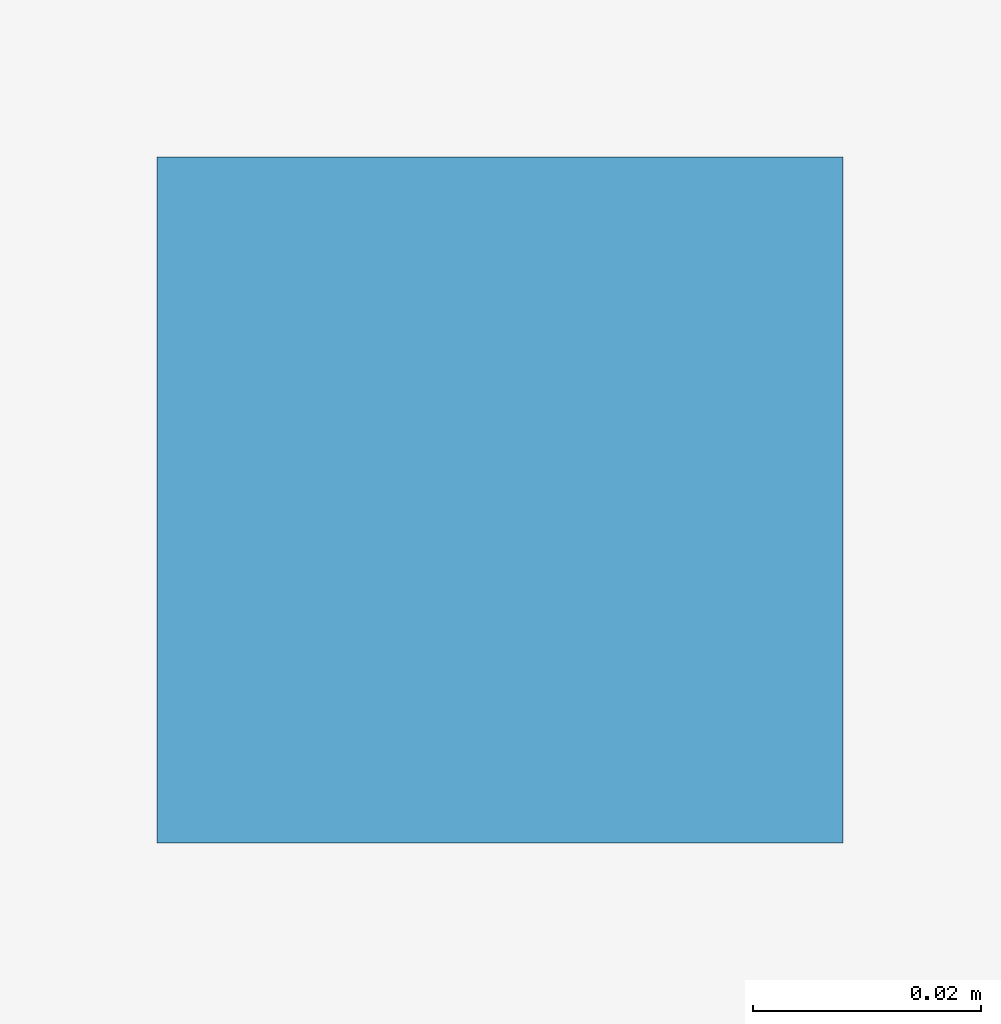
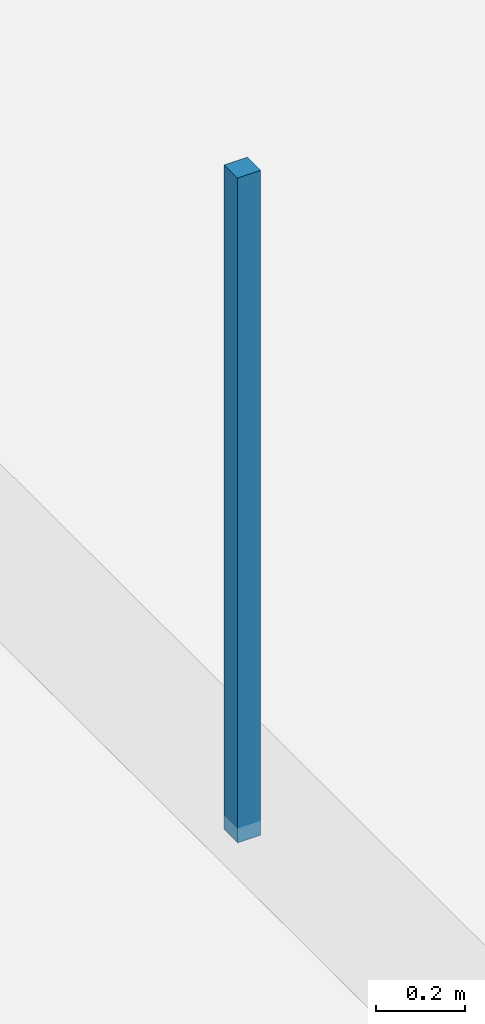
# One storey, part 64 of 128: 1 discrete accessory.
"""IFC4 building model written with IfcOpenShell, lengths in metres."""

from ifc_helpers import new_model, si_unit, direction, frame, origin, origin_2d, place, context, subcontext, project, spatial, rectangle, extrude, material, type_object, element, save


model = new_model("IFC4")

# Units and contexts
model_context = context("Model", 3, precision=1e-05, world=origin(), true_north=direction((0.0, 1.0)))
body_context = subcontext(model_context, "Body", "Model", "MODEL_VIEW")
ifc_project = project(units=[si_unit("LENGTHUNIT", "METRE"), si_unit("AREAUNIT", "SQUARE_METRE"), si_unit("VOLUMEUNIT", "CUBIC_METRE"), si_unit("PLANEANGLEUNIT", "RADIAN"), si_unit("MASSUNIT", "GRAM", prefix="KILO")], contexts=[model_context])

# Site, building, storey
site_placement = place(None, origin())
site = spatial("IfcSite", under=ifc_project, at=site_placement, CompositionType="ELEMENT")
building_placement = place(site_placement, origin())
building = spatial("IfcBuilding", under=site, at=building_placement, Name="Telukmera Botanical Conservatory", CompositionType="ELEMENT")
storey_placement = place(building_placement, frame((0.0, 0.0, 5.39990234375)))
storey = spatial("IfcBuildingStorey", under=building, at=storey_placement, Name="L01", CompositionType="ELEMENT", Elevation=5.39990234375)

# Discrete accessory
ifc_material = material(Name="Steel S355", Category="steel")
discrete_accessory_type = type_object("IfcDiscreteAccessoryType", Name="ACC-CEIL-HGR", PredefinedType="BRACKET", material=ifc_material)
discrete_accessory_placement = place(storey_placement, frame((77.753173828125, 40.5, 2.76025390625), z_axis=(0.0, 0.0, 1.0), x_axis=(1.0, 0.0, 0.0)))
element("IfcDiscreteAccessory", 1, at=discrete_accessory_placement, inside=storey, type_object=discrete_accessory_type, Name="L01 Suspended Ceiling Hanger Rod 070-1", PredefinedType="BRACKET", context=body_context, shape_type="SweptSolid", body=[
    extrude(rectangle(XDim=0.06005859375, YDim=0.06005859375, at=origin_2d()), origin(), (0.0, 0.0, 1.0), 1.824951171875),
])

save(model, "model.ifc")
